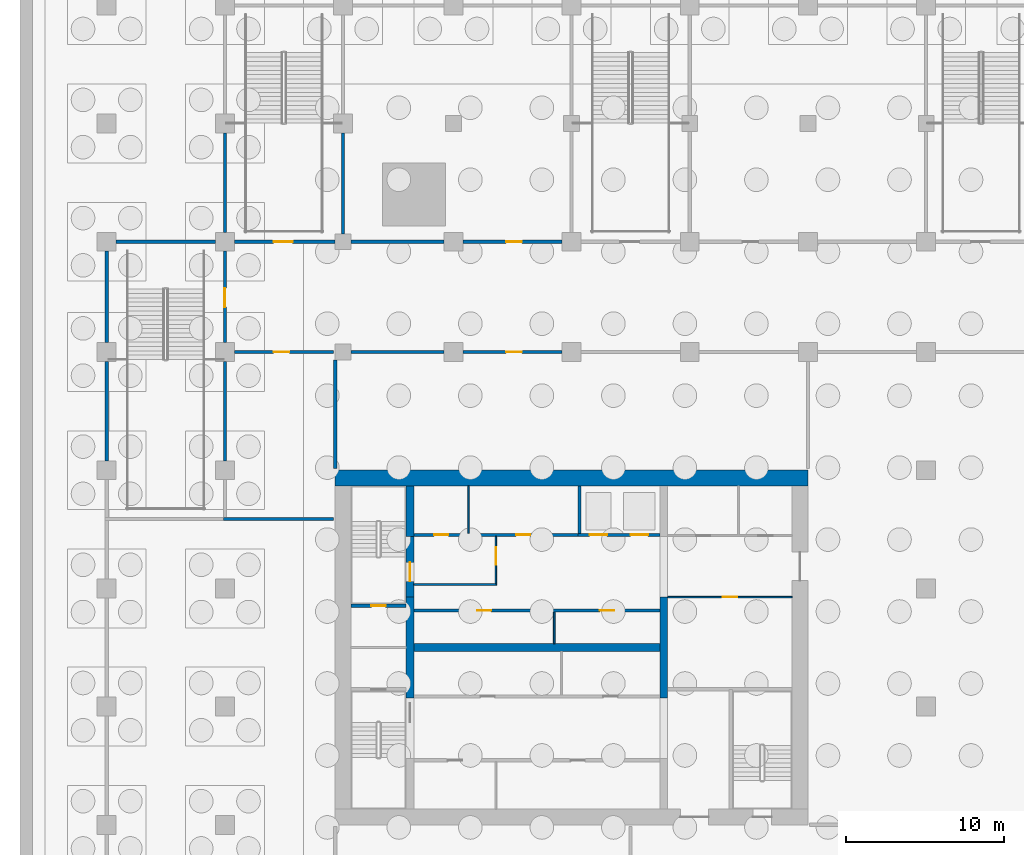
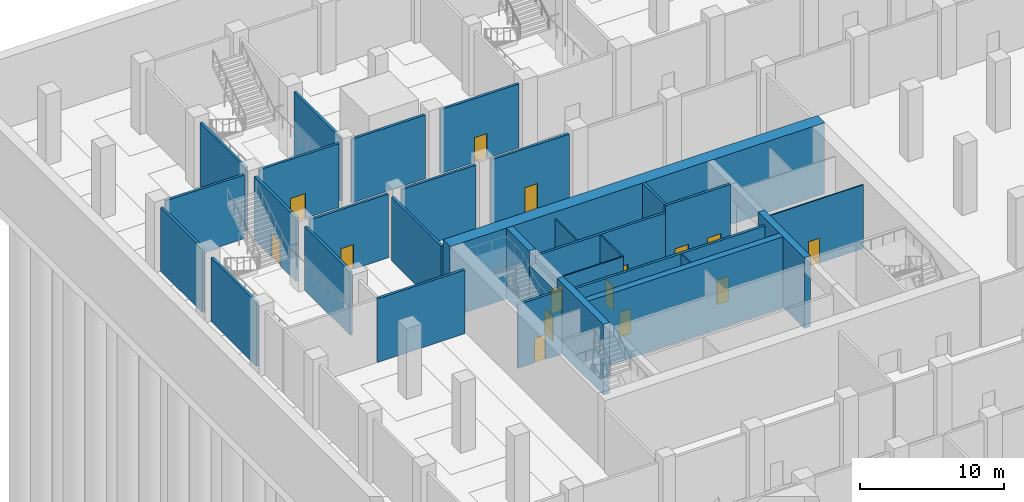
# One storey, part 10 of 39: 31 walls, 15 doors, 15 openings.
"""IFC4 building model written with IfcOpenShell, lengths in metres."""

from ifc_helpers import new_model, si_unit, direction, frame, frame_2d, origin, place, context, subcontext, project, spatial, rectangle, extrude, material, layer, layer_set, type_object, element, fill, save


model = new_model("IFC4")

# Units and contexts
model_context = context("Model", 3, precision=1e-05, world=origin(), true_north=direction((0.0, 1.0)))
body_context = subcontext(model_context, "Body", "Model", "MODEL_VIEW")
ifc_project = project(units=[si_unit("LENGTHUNIT", "METRE"), si_unit("AREAUNIT", "SQUARE_METRE"), si_unit("VOLUMEUNIT", "CUBIC_METRE"), si_unit("PLANEANGLEUNIT", "RADIAN"), si_unit("MASSUNIT", "GRAM", prefix="KILO")], contexts=[model_context])

# Site, building, storey
site_placement = place(None, origin())
site = spatial("IfcSite", under=ifc_project, at=site_placement, CompositionType="ELEMENT")
building_placement = place(site_placement, origin())
building = spatial("IfcBuilding", under=site, at=building_placement, Name="Tamorin Gate", CompositionType="ELEMENT")
storey_placement = place(building_placement, frame((0.0, 0.0, -12.0)))
storey = spatial("IfcBuildingStorey", under=building, at=storey_placement, Name="B2", CompositionType="ELEMENT", Elevation=-12.0)

# Wall, openings, doors
ifc_material_1 = material(Name="Concrete C32/40", Category="concrete")
ifc_layer_1 = layer(ifc_material_1, 0.199951171875)
ifc_layer_set_1 = layer_set([ifc_layer_1], Name="Lift lobby face wall 200 EI 120")
wall_type_1 = type_object("IfcWallType", Name="Lift lobby face wall 200 EI 120", PredefinedType="SOLIDWALL", material=ifc_layer_set_1)
wall_1_placement = place(storey_placement, frame((45.39990234375, 78.39990234375, 0.0), z_axis=(0.0, 0.0, 1.0), x_axis=(1.0, 0.0, 0.0)))
wall_1 = element("IfcWall", 1, at=wall_1_placement, inside=storey, type_object=wall_type_1, Name="Lift lobby face wall", PredefinedType="SOLIDWALL", context=body_context, shape_type="SweptSolid", body=[
    extrude(rectangle(XDim=5.2001953125, YDim=0.199951171875, at=frame_2d((2.60009765625, 0.0))), origin(), (0.0, 0.0, 1.0), 6.0),
])
opening_1_placement = place(wall_1_placement, frame((0.75, 0.0, 0.0)))
opening_1 = element("IfcOpeningElement", 2, at=opening_1_placement, cuts=wall_1, Name="Opening LD21", PredefinedType="OPENING", context=body_context, shape_type="SweptSolid", body=[
    extrude(rectangle(XDim=1.10009765625, YDim=2.10009765625, at=frame_2d((0.550048828125, 1.050048828125))), frame((0.0, 0.10986328125, 0.0), z_axis=(0.0, -1.0, 0.0), x_axis=(1.0, 0.0, 0.0)), (0.0, 0.0, 1.0), 0.219970703125),
])
opening_2_placement = place(wall_1_placement, frame((3.35009765625, 0.0, 0.0)))
opening_2 = element("IfcOpeningElement", 3, at=opening_2_placement, cuts=wall_1, Name="Opening LD22", PredefinedType="OPENING", context=body_context, shape_type="SweptSolid", body=[
    extrude(rectangle(XDim=1.10009765625, YDim=2.10009765625, at=frame_2d((0.550048828125, 1.050048828125))), frame((0.0, 0.10986328125, 0.0), z_axis=(0.0, -1.0, 0.0), x_axis=(1.0, 0.0, 0.0)), (0.0, 0.0, 1.0), 0.219970703125),
])
ifc_material_2 = material(Name="Stainless steel sliding door", Category="steel")
door_type_1 = type_object("IfcDoorType", Name="Lift landing door 1100 x 2100 E 90", OperationType="DOUBLE_DOOR_SLIDING", PredefinedType="DOOR", material=ifc_material_2)
door_1_placement = place(opening_1_placement, origin())
door_1 = element("IfcDoor", 4, at=door_1_placement, inside=storey, type_object=door_type_1, Name="SV1 landing door", OperationType="DOUBLE_DOOR_SLIDING", OverallHeight=2.10009765625, OverallWidth=1.10009765625, PredefinedType="DOOR", context=body_context, shape_type="SweptSolid", body=[
    extrude(rectangle(XDim=1.10009765625, YDim=2.10009765625, at=frame_2d((0.550048828125, 1.050048828125))), frame((0.0, 0.02490234375, 0.0), z_axis=(0.0, -1.0, 0.0), x_axis=(1.0, 0.0, 0.0)), (0.0, 0.0, 1.0), 0.050048828125),
])
fill(opening_1, door_1)
door_2_placement = place(opening_2_placement, origin())
door_2 = element("IfcDoor", 5, at=door_2_placement, inside=storey, type_object=door_type_1, Name="SV2 landing door", OperationType="DOUBLE_DOOR_SLIDING", OverallHeight=2.10009765625, OverallWidth=1.10009765625, PredefinedType="DOOR", context=body_context, shape_type="SweptSolid", body=[
    extrude(rectangle(XDim=1.10009765625, YDim=2.10009765625, at=frame_2d((0.550048828125, 1.050048828125))), frame((0.0, 0.02490234375, 0.0), z_axis=(0.0, -1.0, 0.0), x_axis=(1.0, 0.0, 0.0)), (0.0, 0.0, 1.0), 0.050048828125),
])
fill(opening_2, door_2)

# Walls
ifc_layer_2 = layer(ifc_material_1, 0.199951171875)
ifc_layer_set_2 = layer_set([ifc_layer_2], Name="Lift shaft wall 200 EI 120")
wall_type_2 = type_object("IfcWallType", Name="Lift shaft wall 200 EI 120", PredefinedType="SOLIDWALL", material=ifc_layer_set_2)
wall_2_placement = place(storey_placement, frame((45.5, 78.5, 0.0), z_axis=(0.0, 0.0, 1.0), x_axis=(0.0, 1.0, 0.0)))
element("IfcWall", 6, at=wall_2_placement, inside=storey, type_object=wall_type_2, Name="Lift shaft wall", PredefinedType="SOLIDWALL", context=body_context, shape_type="SweptSolid", body=[
    extrude(rectangle(XDim=3.0, YDim=0.199951171875, at=frame_2d((1.5, 0.0))), origin(), (0.0, 0.0, 1.0), 6.0),
])
ifc_material_3 = material(Name="Fire-rated gypsum board partition")
ifc_layer_3 = layer(ifc_material_3, 0.10009765625)
ifc_layer_set_3 = layer_set([ifc_layer_3], Name="Lobby wall 100 EI 60")
wall_type_3 = type_object("IfcWallType", Name="Lobby wall 100 EI 60", PredefinedType="PARTITIONING", material=ifc_layer_set_3)
wall_3_placement = place(storey_placement, frame((35.0, 75.25, 0.0), z_axis=(0.0, 0.0, 1.0), x_axis=(1.0, 0.0, 0.0)))
element("IfcWall", 7, at=wall_3_placement, inside=storey, type_object=wall_type_3, Name="Firefighting lobby wall", PredefinedType="PARTITIONING", context=body_context, shape_type="SweptSolid", body=[
    extrude(rectangle(XDim=5.25, YDim=0.10009765625, at=frame_2d((2.625, 0.0))), origin(), (0.0, 0.0, 1.0), 5.39990234375),
])

# Wall, opening, door
wall_4_placement = place(storey_placement, frame((40.199951171875, 75.300048828125, 0.0), z_axis=(0.0, 0.0, 1.0), x_axis=(0.0, 1.0, 0.0)))
wall_4 = element("IfcWall", 8, at=wall_4_placement, inside=storey, type_object=wall_type_3, Name="Firefighting lobby wall", PredefinedType="PARTITIONING", context=body_context, shape_type="SweptSolid", body=[
    extrude(rectangle(XDim=3.0, YDim=0.10009765625, at=frame_2d((1.5, 0.0))), origin(), (0.0, 0.0, 1.0), 5.39990234375),
])
opening_3_placement = place(wall_4_placement, frame((1.199951171875, 0.0, 0.0)))
opening_3 = element("IfcOpeningElement", 9, at=opening_3_placement, cuts=wall_4, Name="Opening DF1", PredefinedType="OPENING", context=body_context, shape_type="SweptSolid", body=[
    extrude(rectangle(XDim=1.10009765625, YDim=2.10009765625, at=frame_2d((0.550048828125, 1.050048828125))), frame((0.0, 0.06005859375, 0.0), z_axis=(0.0, -1.0, 0.0), x_axis=(1.0, 0.0, 0.0)), (0.0, 0.0, 1.0), 0.1201171875),
])
ifc_material_4 = material(Name="Steel fire door", Category="steel")
door_type_2 = type_object("IfcDoorType", Name="Firefighting lobby door 1100 x 2100 EI 90", OperationType="SINGLE_SWING_LEFT", PredefinedType="DOOR", material=ifc_material_4)
door_3_placement = place(opening_3_placement, origin())
door_3 = element("IfcDoor", 10, at=door_3_placement, inside=storey, type_object=door_type_2, Name="Firefighting lobby door", OperationType="SINGLE_SWING_LEFT", OverallHeight=2.10009765625, OverallWidth=1.10009765625, PredefinedType="DOOR", context=body_context, shape_type="SweptSolid", body=[
    extrude(rectangle(XDim=1.10009765625, YDim=2.10009765625, at=frame_2d((0.550048828125, 1.050048828125))), frame((0.0, 0.02490234375, 0.0), z_axis=(0.0, -1.0, 0.0), x_axis=(1.0, 0.0, 0.0)), (0.0, 0.0, 1.0), 0.050048828125),
])
fill(opening_3, door_3)

ifc_material_5 = material(Name="Concrete masonry C20/25", Category="masonry")
ifc_layer_4 = layer(ifc_material_5, 0.199951171875)
ifc_layer_set_4 = layer_set([ifc_layer_4], Name="Plant room wall 200")
wall_type_4 = type_object("IfcWallType", Name="Plant room wall 200", PredefinedType="PARTITIONING", material=ifc_layer_set_4)
wall_5_placement = place(storey_placement, frame((23.60009765625, 90.0, 0.0), z_axis=(0.0, 0.0, 1.0), x_axis=(1.0, 0.0, 0.0)))
wall_5 = element("IfcWall", 11, at=wall_5_placement, inside=storey, type_object=wall_type_4, Name="Plant room wall 200 B2", PredefinedType="PARTITIONING", context=body_context, shape_type="SweptSolid", body=[
    extrude(rectangle(XDim=6.2998046875, YDim=0.199951171875, at=frame_2d((3.14990234375, 0.0))), origin(), (0.0, 0.0, 1.0), 5.39990234375),
])
opening_4_placement = place(wall_5_placement, frame((2.5, 0.0, 0.0)))
opening_4 = element("IfcOpeningElement", 12, at=opening_4_placement, cuts=wall_5, Name="Opening DP2", PredefinedType="OPENING", context=body_context, shape_type="SweptSolid", body=[
    extrude(rectangle(XDim=1.0, YDim=2.10009765625, at=frame_2d((0.5, 1.050048828125))), frame((0.0, 0.10986328125, 0.0), z_axis=(0.0, -1.0, 0.0), x_axis=(1.0, 0.0, 0.0)), (0.0, 0.0, 1.0), 0.219970703125),
])
ifc_material_6 = material(Name="Painted steel", Category="steel")
door_type_3 = type_object("IfcDoorType", Name="Door single 1000", OperationType="SINGLE_SWING_LEFT", PredefinedType="DOOR", material=ifc_material_6)
door_4_placement = place(opening_4_placement, origin())
door_4 = element("IfcDoor", 13, at=door_4_placement, inside=storey, type_object=door_type_3, Name="Door single 1000 B2", OperationType="SINGLE_SWING_LEFT", OverallHeight=2.10009765625, OverallWidth=1.0, PredefinedType="DOOR", context=body_context, shape_type="SweptSolid", body=[
    extrude(rectangle(XDim=1.0, YDim=2.10009765625, at=frame_2d((0.5, 1.050048828125))), frame((0.0, 0.02490234375, 0.0), z_axis=(0.0, -1.0, 0.0), x_axis=(1.0, 0.0, 0.0)), (0.0, 0.0, 1.0), 0.050048828125),
])
fill(opening_4, door_4)

# Wall
wall_6_placement = place(storey_placement, frame((31.0, 90.0, 0.0), z_axis=(0.0, 0.0, 1.0), x_axis=(1.0, 0.0, 0.0)))
element("IfcWall", 14, at=wall_6_placement, inside=storey, type_object=wall_type_4, Name="Plant room wall 200 B2", PredefinedType="PARTITIONING", context=body_context, shape_type="SweptSolid", body=[
    extrude(rectangle(XDim=5.89990234375, YDim=0.199951171875, at=frame_2d((2.949951171875, 0.0))), origin(), (0.0, 0.0, 1.0), 5.39990234375),
])

# Wall, opening, door
wall_7_placement = place(storey_placement, frame((38.10009765625, 90.0, 0.0), z_axis=(0.0, 0.0, 1.0), x_axis=(1.0, 0.0, 0.0)))
wall_7 = element("IfcWall", 15, at=wall_7_placement, inside=storey, type_object=wall_type_4, Name="Plant room wall 200 B2", PredefinedType="PARTITIONING", context=body_context, shape_type="SweptSolid", body=[
    extrude(rectangle(XDim=6.2998046875, YDim=0.199951171875, at=frame_2d((3.14990234375, 0.0))), origin(), (0.0, 0.0, 1.0), 5.39990234375),
])
opening_5_placement = place(wall_7_placement, frame((2.75, 0.0, 0.0)))
opening_5 = element("IfcOpeningElement", 16, at=opening_5_placement, cuts=wall_7, Name="Opening DP2", PredefinedType="OPENING", context=body_context, shape_type="SweptSolid", body=[
    extrude(rectangle(XDim=1.0, YDim=2.10009765625, at=frame_2d((0.5, 1.050048828125))), frame((0.0, 0.10986328125, 0.0), z_axis=(0.0, -1.0, 0.0), x_axis=(1.0, 0.0, 0.0)), (0.0, 0.0, 1.0), 0.219970703125),
])
door_5_placement = place(opening_5_placement, origin())
door_5 = element("IfcDoor", 17, at=door_5_placement, inside=storey, type_object=door_type_3, Name="Door single 1000 B2", OperationType="SINGLE_SWING_LEFT", OverallHeight=2.10009765625, OverallWidth=1.0, PredefinedType="DOOR", context=body_context, shape_type="SweptSolid", body=[
    extrude(rectangle(XDim=1.0, YDim=2.10009765625, at=frame_2d((0.5, 1.050048828125))), frame((0.0, 0.02490234375, 0.0), z_axis=(0.0, -1.0, 0.0), x_axis=(1.0, 0.0, 0.0)), (0.0, 0.0, 1.0), 0.050048828125),
])
fill(opening_5, door_5)

# Wall
wall_8_placement = place(storey_placement, frame((31.0, 97.0, 0.0), z_axis=(0.0, 0.0, 1.0), x_axis=(1.0, 0.0, 0.0)))
element("IfcWall", 18, at=wall_8_placement, inside=storey, type_object=wall_type_4, Name="Plant room wall 200 B2", PredefinedType="PARTITIONING", context=body_context, shape_type="SweptSolid", body=[
    extrude(rectangle(XDim=5.89990234375, YDim=0.199951171875, at=frame_2d((2.949951171875, 0.0))), origin(), (0.0, 0.0, 1.0), 5.39990234375),
])

# Wall, opening, door
wall_9_placement = place(storey_placement, frame((44.39990234375, 97.0, 0.0), z_axis=(0.0, 0.0, 1.0), x_axis=(-1.0, 0.0, 0.0)))
wall_9 = element("IfcWall", 19, at=wall_9_placement, inside=storey, type_object=wall_type_4, Name="Plant room wall 200 B2", PredefinedType="PARTITIONING", context=body_context, shape_type="SweptSolid", body=[
    extrude(rectangle(XDim=6.2998046875, YDim=0.199951171875, at=frame_2d((3.14990234375, 0.0))), origin(), (0.0, 0.0, 1.0), 5.39990234375),
])
opening_6_placement = place(wall_9_placement, frame((2.550048828125, 0.0, 0.0)))
opening_6 = element("IfcOpeningElement", 20, at=opening_6_placement, cuts=wall_9, Name="Opening DP2", PredefinedType="OPENING", context=body_context, shape_type="SweptSolid", body=[
    extrude(rectangle(XDim=1.0, YDim=2.10009765625, at=frame_2d((0.5, 1.050048828125))), frame((0.0, 0.10986328125, 0.0), z_axis=(0.0, -1.0, 0.0), x_axis=(1.0, 0.0, 0.0)), (0.0, 0.0, 1.0), 0.219970703125),
])
door_6_placement = place(opening_6_placement, origin())
door_6 = element("IfcDoor", 21, at=door_6_placement, inside=storey, type_object=door_type_3, Name="Door single 1000 B2", OperationType="SINGLE_SWING_LEFT", OverallHeight=2.10009765625, OverallWidth=1.0, PredefinedType="DOOR", context=body_context, shape_type="SweptSolid", body=[
    extrude(rectangle(XDim=1.0, YDim=2.10009765625, at=frame_2d((0.5, 1.050048828125))), frame((0.0, 0.02490234375, 0.0), z_axis=(0.0, -1.0, 0.0), x_axis=(1.0, 0.0, 0.0)), (0.0, 0.0, 1.0), 0.050048828125),
])
fill(opening_6, door_6)

# Walls
wall_10_placement = place(storey_placement, frame((22.89990234375, 79.39990234375, 0.0), z_axis=(0.0, 0.0, 1.0), x_axis=(1.0, 0.0, 0.0)))
element("IfcWall", 22, at=wall_10_placement, inside=storey, type_object=wall_type_4, Name="Plant room wall 200 B2", PredefinedType="PARTITIONING", context=body_context, shape_type="SweptSolid", body=[
    extrude(rectangle(XDim=7.0, YDim=0.199951171875, at=frame_2d((3.5, 0.0))), origin(), (0.0, 0.0, 1.0), 5.39990234375),
])
wall_11_placement = place(storey_placement, frame((30.0, 82.60009765625, 0.0), z_axis=(0.0, 0.0, 1.0), x_axis=(0.0, 1.0, 0.0)))
element("IfcWall", 23, at=wall_11_placement, inside=storey, type_object=wall_type_4, Name="Plant room wall 200 B2", PredefinedType="PARTITIONING", context=body_context, shape_type="SweptSolid", body=[
    extrude(rectangle(XDim=6.89990234375, YDim=0.199951171875, at=frame_2d((3.449951171875, 0.0))), origin(), (0.0, 0.0, 1.0), 5.39990234375),
])
ifc_material_7 = material(Name="Concrete C80/95", Category="concrete")
ifc_layer_5 = layer(ifc_material_7, 0.5)
ifc_layer_set_5 = layer_set([ifc_layer_5], Name="RC core internal wall 500 C80/95")
wall_type_5 = type_object("IfcWallType", Name="RC core internal wall 500 C80/95", PredefinedType="SHEAR", material=ifc_layer_set_5)
wall_12_placement = place(storey_placement, frame((35.0, 71.25, 0.0), z_axis=(0.0, 0.0, 1.0), x_axis=(1.0, 0.0, 0.0)))
element("IfcWall", 24, at=wall_12_placement, inside=storey, type_object=wall_type_5, Name="Core spine wall B2", PredefinedType="SHEAR", context=body_context, shape_type="SweptSolid", body=[
    extrude(rectangle(XDim=15.60009765625, YDim=0.5, at=frame_2d((7.800048828125, 0.0))), origin(), (0.0, 0.0, 1.0), 6.0),
])
wall_13_placement = place(storey_placement, frame((34.75, 68.050048828125, 0.0), z_axis=(0.0, 0.0, 1.0), x_axis=(0.0, 1.0, 0.0)))
element("IfcWall", 25, at=wall_13_placement, inside=storey, type_object=wall_type_5, Name="Core cross wall B2", PredefinedType="SHEAR", context=body_context, shape_type="SweptSolid", body=[
    extrude(rectangle(XDim=6.39990234375, YDim=0.5, at=frame_2d((3.199951171875, 0.0))), origin(), (0.0, 0.0, 1.0), 6.0),
])
wall_14_placement = place(storey_placement, frame((34.75, 78.300048828125, 0.0), z_axis=(0.0, 0.0, 1.0), x_axis=(0.0, 1.0, 0.0)))
element("IfcWall", 26, at=wall_14_placement, inside=storey, type_object=wall_type_5, Name="Core cross wall B2", PredefinedType="SHEAR", context=body_context, shape_type="SweptSolid", body=[
    extrude(rectangle(XDim=3.199951171875, YDim=0.5, at=frame_2d((1.60009765625, 0.0))), origin(), (0.0, 0.0, 1.0), 6.0),
])
wall_15_placement = place(storey_placement, frame((50.85009765625, 68.050048828125, 0.0), z_axis=(0.0, 0.0, 1.0), x_axis=(0.0, 1.0, 0.0)))
element("IfcWall", 27, at=wall_15_placement, inside=storey, type_object=wall_type_5, Name="Core cross wall B2", PredefinedType="SHEAR", context=body_context, shape_type="SweptSolid", body=[
    extrude(rectangle(XDim=6.39990234375, YDim=0.5, at=frame_2d((3.199951171875, 0.0))), origin(), (0.0, 0.0, 1.0), 6.0),
])
ifc_layer_6 = layer(ifc_material_7, 1.0)
ifc_layer_set_6 = layer_set([ifc_layer_6], Name="RC core wall 1000 C80/95")
wall_type_6 = type_object("IfcWallType", Name="RC core wall 1000 C80/95", PredefinedType="SHEAR", material=ifc_layer_set_6)
wall_16_placement = place(storey_placement, frame((30.0, 82.0, 0.0), z_axis=(0.0, 0.0, 1.0), x_axis=(1.0, 0.0, 0.0)))
element("IfcWall", 28, at=wall_16_placement, inside=storey, type_object=wall_type_6, Name="Core wall B2", PredefinedType="SHEAR", context=body_context, shape_type="SweptSolid", body=[
    extrude(rectangle(XDim=30.0, YDim=1.0, at=frame_2d((15.0, 0.0))), origin(), (0.0, 0.0, 1.0), 6.0),
])

# Wall, openings, doors
ifc_material_8 = material(Name="Gypsum board partition")
ifc_layer_7 = layer(ifc_material_8, 0.199951171875)
ifc_layer_set_7 = layer_set([ifc_layer_7], Name="Service room face wall 200 EI 60")
wall_type_7 = type_object("IfcWallType", Name="Service room face wall 200 EI 60", PredefinedType="PARTITIONING", material=ifc_layer_set_7)
wall_17_placement = place(storey_placement, frame((35.0, 73.60009765625, 0.0), z_axis=(0.0, 0.0, 1.0), x_axis=(1.0, 0.0, 0.0)))
wall_17 = element("IfcWall", 29, at=wall_17_placement, inside=storey, type_object=wall_type_7, Name="Service room face wall", PredefinedType="PARTITIONING", context=body_context, shape_type="SweptSolid", body=[
    extrude(rectangle(XDim=15.60009765625, YDim=0.199951171875, at=frame_2d((7.800048828125, 0.0))), origin(), (0.0, 0.0, 1.0), 5.39990234375),
])
opening_7_placement = place(wall_17_placement, frame((4.0, 0.0, 0.0)))
opening_7 = element("IfcOpeningElement", 30, at=opening_7_placement, cuts=wall_17, Name="Opening DK1", PredefinedType="OPENING", context=body_context, shape_type="SweptSolid", body=[
    extrude(rectangle(XDim=0.89990234375, YDim=2.10009765625, at=frame_2d((0.449951171875, 1.050048828125))), frame((0.0, 0.10986328125, 0.0), z_axis=(0.0, -1.0, 0.0), x_axis=(1.0, 0.0, 0.0)), (0.0, 0.0, 1.0), 0.219970703125),
])
opening_8_placement = place(wall_17_placement, frame((11.800048828125, 0.0, 0.0)))
opening_8 = element("IfcOpeningElement", 31, at=opening_8_placement, cuts=wall_17, Name="Opening DK1", PredefinedType="OPENING", context=body_context, shape_type="SweptSolid", body=[
    extrude(rectangle(XDim=0.89990234375, YDim=2.10009765625, at=frame_2d((0.449951171875, 1.050048828125))), frame((0.0, 0.10986328125, 0.0), z_axis=(0.0, -1.0, 0.0), x_axis=(1.0, 0.0, 0.0)), (0.0, 0.0, 1.0), 0.219970703125),
])
ifc_material_9 = material(Name="Timber fire door", Category="wood")
door_type_4 = type_object("IfcDoorType", Name="Service room door 900 x 2100 EI 60", OperationType="SINGLE_SWING_LEFT", PredefinedType="DOOR", material=ifc_material_9)
door_7_placement = place(opening_7_placement, origin())
door_7 = element("IfcDoor", 32, at=door_7_placement, inside=storey, type_object=door_type_4, Name="Door Electrical room", OperationType="SINGLE_SWING_RIGHT", OverallHeight=2.10009765625, OverallWidth=0.89990234375, PredefinedType="DOOR", context=body_context, shape_type="SweptSolid", body=[
    extrude(rectangle(XDim=0.89990234375, YDim=2.10009765625, at=frame_2d((0.449951171875, 1.050048828125))), frame((0.0, 0.02490234375, 0.0), z_axis=(0.0, -1.0, 0.0), x_axis=(1.0, 0.0, 0.0)), (0.0, 0.0, 1.0), 0.050048828125),
])
fill(opening_7, door_7)
door_8_placement = place(opening_8_placement, origin())
door_8 = element("IfcDoor", 33, at=door_8_placement, inside=storey, type_object=door_type_4, Name="Door Telecom room", OperationType="SINGLE_SWING_LEFT", OverallHeight=2.10009765625, OverallWidth=0.89990234375, PredefinedType="DOOR", context=body_context, shape_type="SweptSolid", body=[
    extrude(rectangle(XDim=0.89990234375, YDim=2.10009765625, at=frame_2d((0.449951171875, 1.050048828125))), frame((0.0, 0.02490234375, 0.0), z_axis=(0.0, -1.0, 0.0), x_axis=(1.0, 0.0, 0.0)), (0.0, 0.0, 1.0), 0.050048828125),
])
fill(opening_8, door_8)

wall_18_placement = place(storey_placement, frame((35.0, 78.39990234375, 0.0), z_axis=(0.0, 0.0, 1.0), x_axis=(1.0, 0.0, 0.0)))
wall_18 = element("IfcWall", 34, at=wall_18_placement, inside=storey, type_object=wall_type_7, Name="Service room face wall", PredefinedType="PARTITIONING", context=body_context, shape_type="SweptSolid", body=[
    extrude(rectangle(XDim=10.39990234375, YDim=0.199951171875, at=frame_2d((5.199951171875, 0.0))), origin(), (0.0, 0.0, 1.0), 5.39990234375),
])
opening_9_placement = place(wall_18_placement, frame((1.27490234375, 0.0, 0.0)))
opening_9 = element("IfcOpeningElement", 35, at=opening_9_placement, cuts=wall_18, Name="Opening DK1", PredefinedType="OPENING", context=body_context, shape_type="SweptSolid", body=[
    extrude(rectangle(XDim=0.89990234375, YDim=2.10009765625, at=frame_2d((0.449951171875, 1.050048828125))), frame((0.0, 0.10986328125, 0.0), z_axis=(0.0, -1.0, 0.0), x_axis=(1.0, 0.0, 0.0)), (0.0, 0.0, 1.0), 0.219970703125),
])
opening_10_placement = place(wall_18_placement, frame((6.47509765625, 0.0, 0.0)))
opening_10 = element("IfcOpeningElement", 36, at=opening_10_placement, cuts=wall_18, Name="Opening DK1", PredefinedType="OPENING", context=body_context, shape_type="SweptSolid", body=[
    extrude(rectangle(XDim=0.89990234375, YDim=2.10009765625, at=frame_2d((0.449951171875, 1.050048828125))), frame((0.0, 0.10986328125, 0.0), z_axis=(0.0, -1.0, 0.0), x_axis=(1.0, 0.0, 0.0)), (0.0, 0.0, 1.0), 0.219970703125),
])
door_9_placement = place(opening_9_placement, origin())
door_9 = element("IfcDoor", 37, at=door_9_placement, inside=storey, type_object=door_type_4, Name="Door Cable riser store", OperationType="SINGLE_SWING_RIGHT", OverallHeight=2.10009765625, OverallWidth=0.89990234375, PredefinedType="DOOR", context=body_context, shape_type="SweptSolid", body=[
    extrude(rectangle(XDim=0.89990234375, YDim=2.10009765625, at=frame_2d((0.449951171875, 1.050048828125))), frame((0.0, 0.02490234375, 0.0), z_axis=(0.0, -1.0, 0.0), x_axis=(1.0, 0.0, 0.0)), (0.0, 0.0, 1.0), 0.050048828125),
])
fill(opening_9, door_9)
door_10_placement = place(opening_10_placement, origin())
door_10 = element("IfcDoor", 38, at=door_10_placement, inside=storey, type_object=door_type_4, Name="Door Cleaner's store", OperationType="SINGLE_SWING_LEFT", OverallHeight=2.10009765625, OverallWidth=0.89990234375, PredefinedType="DOOR", context=body_context, shape_type="SweptSolid", body=[
    extrude(rectangle(XDim=0.89990234375, YDim=2.10009765625, at=frame_2d((0.449951171875, 1.050048828125))), frame((0.0, 0.02490234375, 0.0), z_axis=(0.0, -1.0, 0.0), x_axis=(1.0, 0.0, 0.0)), (0.0, 0.0, 1.0), 0.050048828125),
])
fill(opening_10, door_10)

# Walls
ifc_layer_8 = layer(ifc_material_8, 0.10009765625)
ifc_layer_set_8 = layer_set([ifc_layer_8], Name="Service room partition 100 EI 60")
wall_type_8 = type_object("IfcWallType", Name="Service room partition 100 EI 60", PredefinedType="PARTITIONING", material=ifc_layer_set_8)
wall_19_placement = place(storey_placement, frame((43.89990234375, 71.5, 0.0), z_axis=(0.0, 0.0, 1.0), x_axis=(0.0, 1.0, 0.0)))
element("IfcWall", 39, at=wall_19_placement, inside=storey, type_object=wall_type_8, Name="Service room partition", PredefinedType="PARTITIONING", context=body_context, shape_type="SweptSolid", body=[
    extrude(rectangle(XDim=2.0, YDim=0.10009765625, at=frame_2d((1.0, 0.0))), origin(), (0.0, 0.0, 1.0), 5.39990234375),
])
wall_20_placement = place(storey_placement, frame((38.449951171875, 78.5, 0.0), z_axis=(0.0, 0.0, 1.0), x_axis=(0.0, 1.0, 0.0)))
element("IfcWall", 40, at=wall_20_placement, inside=storey, type_object=wall_type_8, Name="Service room partition", PredefinedType="PARTITIONING", context=body_context, shape_type="SweptSolid", body=[
    extrude(rectangle(XDim=3.0, YDim=0.10009765625, at=frame_2d((1.5, 0.0))), origin(), (0.0, 0.0, 1.0), 5.39990234375),
])

# Wall, opening, door
wall_21_placement = place(storey_placement, frame((51.10009765625, 74.449951171875, 0.0), z_axis=(0.0, 0.0, 1.0), x_axis=(1.0, 0.0, 0.0)))
wall_21 = element("IfcWall", 41, at=wall_21_placement, inside=storey, type_object=wall_type_8, Name="Service room wall", PredefinedType="PARTITIONING", context=body_context, shape_type="SweptSolid", body=[
    extrude(rectangle(XDim=7.89990234375, YDim=0.10009765625, at=frame_2d((3.949951171875, 0.0))), origin(), (0.0, 0.0, 1.0), 5.39990234375),
])
opening_11_placement = place(wall_21_placement, frame((3.5, 0.0, 0.0)))
opening_11 = element("IfcOpeningElement", 42, at=opening_11_placement, cuts=wall_21, Name="Opening DR1", PredefinedType="OPENING", context=body_context, shape_type="SweptSolid", body=[
    extrude(rectangle(XDim=0.89990234375, YDim=2.10009765625, at=frame_2d((0.449951171875, 1.050048828125))), frame((0.0, 0.06005859375, 0.0), z_axis=(0.0, -1.0, 0.0), x_axis=(1.0, 0.0, 0.0)), (0.0, 0.0, 1.0), 0.1201171875),
])
door_type_5 = type_object("IfcDoorType", Name="Riser access door 900 x 2100 EI 120", OperationType="SINGLE_SWING_LEFT", PredefinedType="DOOR", material=ifc_material_4)
door_11_placement = place(opening_11_placement, origin())
door_11 = element("IfcDoor", 43, at=door_11_placement, inside=storey, type_object=door_type_5, Name="Duct riser door", OperationType="SINGLE_SWING_RIGHT", OverallHeight=2.10009765625, OverallWidth=0.89990234375, PredefinedType="DOOR", context=body_context, shape_type="SweptSolid", body=[
    extrude(rectangle(XDim=0.89990234375, YDim=2.10009765625, at=frame_2d((0.449951171875, 1.050048828125))), frame((0.0, 0.02490234375, 0.0), z_axis=(0.0, -1.0, 0.0), x_axis=(1.0, 0.0, 0.0)), (0.0, 0.0, 1.0), 0.050048828125),
])
fill(opening_11, door_11)

# Wall
ifc_material_10 = material(Name="Concrete C40/50", Category="concrete")
ifc_layer_9 = layer(ifc_material_10, 0.199951171875)
ifc_layer_set_9 = layer_set([ifc_layer_9], Name="Stair enclosure 200")
wall_type_9 = type_object("IfcWallType", Name="Stair enclosure 200", PredefinedType="SHEAR", material=ifc_layer_set_9)
wall_22_placement = place(storey_placement, frame((16.10009765625, 97.0, 0.0), z_axis=(0.0, 0.0, 1.0), x_axis=(1.0, 0.0, 0.0)))
element("IfcWall", 44, at=wall_22_placement, inside=storey, type_object=wall_type_9, Name="Stair enclosure 200 B2", PredefinedType="SHEAR", context=body_context, shape_type="SweptSolid", body=[
    extrude(rectangle(XDim=6.2998046875, YDim=0.199951171875, at=frame_2d((3.14990234375, 0.0))), origin(), (0.0, 0.0, 1.0), 5.39990234375),
])

# Wall, opening, door
wall_23_placement = place(storey_placement, frame((23.60009765625, 97.0, 0.0), z_axis=(0.0, 0.0, 1.0), x_axis=(1.0, 0.0, 0.0)))
wall_23 = element("IfcWall", 45, at=wall_23_placement, inside=storey, type_object=wall_type_9, Name="Stair enclosure 200 B2", PredefinedType="SHEAR", context=body_context, shape_type="SweptSolid", body=[
    extrude(rectangle(XDim=6.39990234375, YDim=0.199951171875, at=frame_2d((3.199951171875, 0.0))), origin(), (0.0, 0.0, 1.0), 5.39990234375),
])
opening_12_placement = place(wall_23_placement, frame((2.5, 0.0, 0.0)))
opening_12 = element("IfcOpeningElement", 46, at=opening_12_placement, cuts=wall_23, Name="Opening DP5", PredefinedType="OPENING", context=body_context, shape_type="SweptSolid", body=[
    extrude(rectangle(XDim=1.199951171875, YDim=2.10009765625, at=frame_2d((0.60009765625, 1.050048828125))), frame((0.0, 0.10986328125, 0.0), z_axis=(0.0, -1.0, 0.0), x_axis=(1.0, 0.0, 0.0)), (0.0, 0.0, 1.0), 0.219970703125),
])
door_type_6 = type_object("IfcDoorType", Name="Stair door 1200", OperationType="SINGLE_SWING_LEFT", PredefinedType="DOOR", material=ifc_material_6)
door_12_placement = place(opening_12_placement, origin())
door_12 = element("IfcDoor", 47, at=door_12_placement, inside=storey, type_object=door_type_6, Name="Stair door 1200 B2", OperationType="SINGLE_SWING_LEFT", OverallHeight=2.10009765625, OverallWidth=1.199951171875, PredefinedType="DOOR", context=body_context, shape_type="SweptSolid", body=[
    extrude(rectangle(XDim=1.199951171875, YDim=2.10009765625, at=frame_2d((0.60009765625, 1.050048828125))), frame((0.0, 0.02490234375, 0.0), z_axis=(0.0, -1.0, 0.0), x_axis=(1.0, 0.0, 0.0)), (0.0, 0.0, 1.0), 0.050048828125),
])
fill(opening_12, door_12)

# Walls
wall_24_placement = place(storey_placement, frame((15.5, 83.10009765625, 0.0), z_axis=(0.0, 0.0, 1.0), x_axis=(0.0, 1.0, 0.0)))
element("IfcWall", 48, at=wall_24_placement, inside=storey, type_object=wall_type_9, Name="Stair enclosure 200 B2", PredefinedType="SHEAR", context=body_context, shape_type="SweptSolid", body=[
    extrude(rectangle(XDim=6.2998046875, YDim=0.199951171875, at=frame_2d((3.14990234375, 0.0))), origin(), (0.0, 0.0, 1.0), 5.39990234375),
])
wall_25_placement = place(storey_placement, frame((15.5, 90.60009765625, 0.0), z_axis=(0.0, 0.0, 1.0), x_axis=(0.0, 1.0, 0.0)))
element("IfcWall", 49, at=wall_25_placement, inside=storey, type_object=wall_type_9, Name="Stair enclosure 200 B2", PredefinedType="SHEAR", context=body_context, shape_type="SweptSolid", body=[
    extrude(rectangle(XDim=5.7998046875, YDim=0.199951171875, at=frame_2d((2.89990234375, 0.0))), origin(), (0.0, 0.0, 1.0), 5.39990234375),
])
wall_26_placement = place(storey_placement, frame((23.0, 83.10009765625, 0.0), z_axis=(0.0, 0.0, 1.0), x_axis=(0.0, 1.0, 0.0)))
element("IfcWall", 50, at=wall_26_placement, inside=storey, type_object=wall_type_9, Name="Stair enclosure 200 B2", PredefinedType="SHEAR", context=body_context, shape_type="SweptSolid", body=[
    extrude(rectangle(XDim=6.2998046875, YDim=0.199951171875, at=frame_2d((3.14990234375, 0.0))), origin(), (0.0, 0.0, 1.0), 5.39990234375),
])

# Wall, opening, door
wall_27_placement = place(storey_placement, frame((23.0, 90.60009765625, 0.0), z_axis=(0.0, 0.0, 1.0), x_axis=(0.0, 1.0, 0.0)))
wall_27 = element("IfcWall", 51, at=wall_27_placement, inside=storey, type_object=wall_type_9, Name="Stair enclosure 200 B2", PredefinedType="SHEAR", context=body_context, shape_type="SweptSolid", body=[
    extrude(rectangle(XDim=5.7998046875, YDim=0.199951171875, at=frame_2d((2.89990234375, 0.0))), origin(), (0.0, 0.0, 1.0), 5.39990234375),
])
opening_13_placement = place(wall_27_placement, frame((2.25, 0.0, 0.0)))
opening_13 = element("IfcOpeningElement", 52, at=opening_13_placement, cuts=wall_27, Name="Opening DP5", PredefinedType="OPENING", context=body_context, shape_type="SweptSolid", body=[
    extrude(rectangle(XDim=1.199951171875, YDim=2.10009765625, at=frame_2d((0.60009765625, 1.050048828125))), frame((0.0, 0.10986328125, 0.0), z_axis=(0.0, -1.0, 0.0), x_axis=(1.0, 0.0, 0.0)), (0.0, 0.0, 1.0), 0.219970703125),
])
door_13_placement = place(opening_13_placement, origin())
door_13 = element("IfcDoor", 53, at=door_13_placement, inside=storey, type_object=door_type_6, Name="Stair door 1200 B2", OperationType="SINGLE_SWING_LEFT", OverallHeight=2.10009765625, OverallWidth=1.199951171875, PredefinedType="DOOR", context=body_context, shape_type="SweptSolid", body=[
    extrude(rectangle(XDim=1.199951171875, YDim=2.10009765625, at=frame_2d((0.60009765625, 1.050048828125))), frame((0.0, 0.02490234375, 0.0), z_axis=(0.0, -1.0, 0.0), x_axis=(1.0, 0.0, 0.0)), (0.0, 0.0, 1.0), 0.050048828125),
])
fill(opening_13, door_13)

# Walls
wall_28_placement = place(storey_placement, frame((23.0, 97.60009765625, 0.0), z_axis=(0.0, 0.0, 1.0), x_axis=(0.0, 1.0, 0.0)))
element("IfcWall", 54, at=wall_28_placement, inside=storey, type_object=wall_type_9, Name="Stair enclosure 200 B2", PredefinedType="SHEAR", context=body_context, shape_type="SweptSolid", body=[
    extrude(rectangle(XDim=6.2998046875, YDim=0.199951171875, at=frame_2d((3.14990234375, 0.0))), origin(), (0.0, 0.0, 1.0), 5.39990234375),
])
wall_29_placement = place(storey_placement, frame((30.5, 97.5, 0.0), z_axis=(0.0, 0.0, 1.0), x_axis=(0.0, 1.0, 0.0)))
element("IfcWall", 55, at=wall_29_placement, inside=storey, type_object=wall_type_9, Name="Stair enclosure 200 B2", PredefinedType="SHEAR", context=body_context, shape_type="SweptSolid", body=[
    extrude(rectangle(XDim=6.39990234375, YDim=0.199951171875, at=frame_2d((3.199951171875, 0.0))), origin(), (0.0, 0.0, 1.0), 5.39990234375),
])

# Wall, opening, door
ifc_layer_10 = layer(ifc_material_10, 0.199951171875)
ifc_layer_set_10 = layer_set([ifc_layer_10], Name="Stair enclosure wall 200 EI 120 C40/50")
wall_type_10 = type_object("IfcWallType", Name="Stair enclosure wall 200 EI 120 C40/50", PredefinedType="SOLIDWALL", material=ifc_layer_set_10)
wall_30_placement = place(storey_placement, frame((31.0, 73.89990234375, 0.0), z_axis=(0.0, 0.0, 1.0), x_axis=(1.0, 0.0, 0.0)))
wall_30 = element("IfcWall", 56, at=wall_30_placement, inside=storey, type_object=wall_type_10, Name="Stair enclosure wall", PredefinedType="SOLIDWALL", context=body_context, shape_type="SweptSolid", body=[
    extrude(rectangle(XDim=3.5, YDim=0.199951171875, at=frame_2d((1.75, 0.0))), origin(), (0.0, 0.0, 1.0), 5.39990234375),
])
opening_14_placement = place(wall_30_placement, frame((1.300048828125, 0.0, 0.0)))
opening_14 = element("IfcOpeningElement", 57, at=opening_14_placement, cuts=wall_30, Name="Opening DR1", PredefinedType="OPENING", context=body_context, shape_type="SweptSolid", body=[
    extrude(rectangle(XDim=0.89990234375, YDim=2.10009765625, at=frame_2d((0.449951171875, 1.050048828125))), frame((0.0, 0.10986328125, 0.0), z_axis=(0.0, -1.0, 0.0), x_axis=(1.0, 0.0, 0.0)), (0.0, 0.0, 1.0), 0.219970703125),
])
door_14_placement = place(opening_14_placement, origin())
door_14 = element("IfcDoor", 58, at=door_14_placement, inside=storey, type_object=door_type_5, Name="Communications riser door", OperationType="SINGLE_SWING_RIGHT", OverallHeight=2.10009765625, OverallWidth=0.89990234375, PredefinedType="DOOR", context=body_context, shape_type="SweptSolid", body=[
    extrude(rectangle(XDim=0.89990234375, YDim=2.10009765625, at=frame_2d((0.449951171875, 1.050048828125))), frame((0.0, 0.02490234375, 0.0), z_axis=(0.0, -1.0, 0.0), x_axis=(1.0, 0.0, 0.0)), (0.0, 0.0, 1.0), 0.050048828125),
])
fill(opening_14, door_14)

ifc_layer_11 = layer(ifc_material_1, 0.5)
ifc_layer_set_11 = layer_set([ifc_layer_11], Name="Stair lobby infill wall 500 EI 120")
wall_type_11 = type_object("IfcWallType", Name="Stair lobby infill wall 500 EI 120", PredefinedType="SOLIDWALL", material=ifc_layer_set_11)
wall_31_placement = place(storey_placement, frame((34.75, 74.449951171875, 0.0), z_axis=(0.0, 0.0, 1.0), x_axis=(0.0, 1.0, 0.0)))
wall_31 = element("IfcWall", 59, at=wall_31_placement, inside=storey, type_object=wall_type_11, Name="Stair lobby infill wall", PredefinedType="SOLIDWALL", context=body_context, shape_type="SweptSolid", body=[
    extrude(rectangle(XDim=3.85009765625, YDim=0.5, at=frame_2d((1.925048828125, 0.0))), origin(), (0.0, 0.0, 1.0), 4.800048828125),
])
opening_15_placement = place(wall_31_placement, frame((1.0, 0.0, 0.0)))
opening_15 = element("IfcOpeningElement", 60, at=opening_15_placement, cuts=wall_31, Name="Opening DS1", PredefinedType="OPENING", context=body_context, shape_type="SweptSolid", body=[
    extrude(rectangle(XDim=1.199951171875, YDim=2.10009765625, at=frame_2d((0.60009765625, 1.050048828125))), frame((0.0, 0.260009765625, 0.0), z_axis=(0.0, -1.0, 0.0), x_axis=(1.0, 0.0, 0.0)), (0.0, 0.0, 1.0), 0.52001953125),
])
door_type_7 = type_object("IfcDoorType", Name="Stair door 1200 x 2100 EI 90", OperationType="SINGLE_SWING_LEFT", PredefinedType="DOOR", material=ifc_material_4)
door_15_placement = place(opening_15_placement, origin())
door_15 = element("IfcDoor", 61, at=door_15_placement, inside=storey, type_object=door_type_7, Name="ST2 door", OperationType="SINGLE_SWING_RIGHT", OverallHeight=2.10009765625, OverallWidth=1.199951171875, PredefinedType="DOOR", context=body_context, shape_type="SweptSolid", body=[
    extrude(rectangle(XDim=1.199951171875, YDim=2.10009765625, at=frame_2d((0.60009765625, 1.050048828125))), frame((0.0, 0.02490234375, 0.0), z_axis=(0.0, -1.0, 0.0), x_axis=(1.0, 0.0, 0.0)), (0.0, 0.0, 1.0), 0.050048828125),
])
fill(opening_15, door_15)

save(model, "model.ifc")
